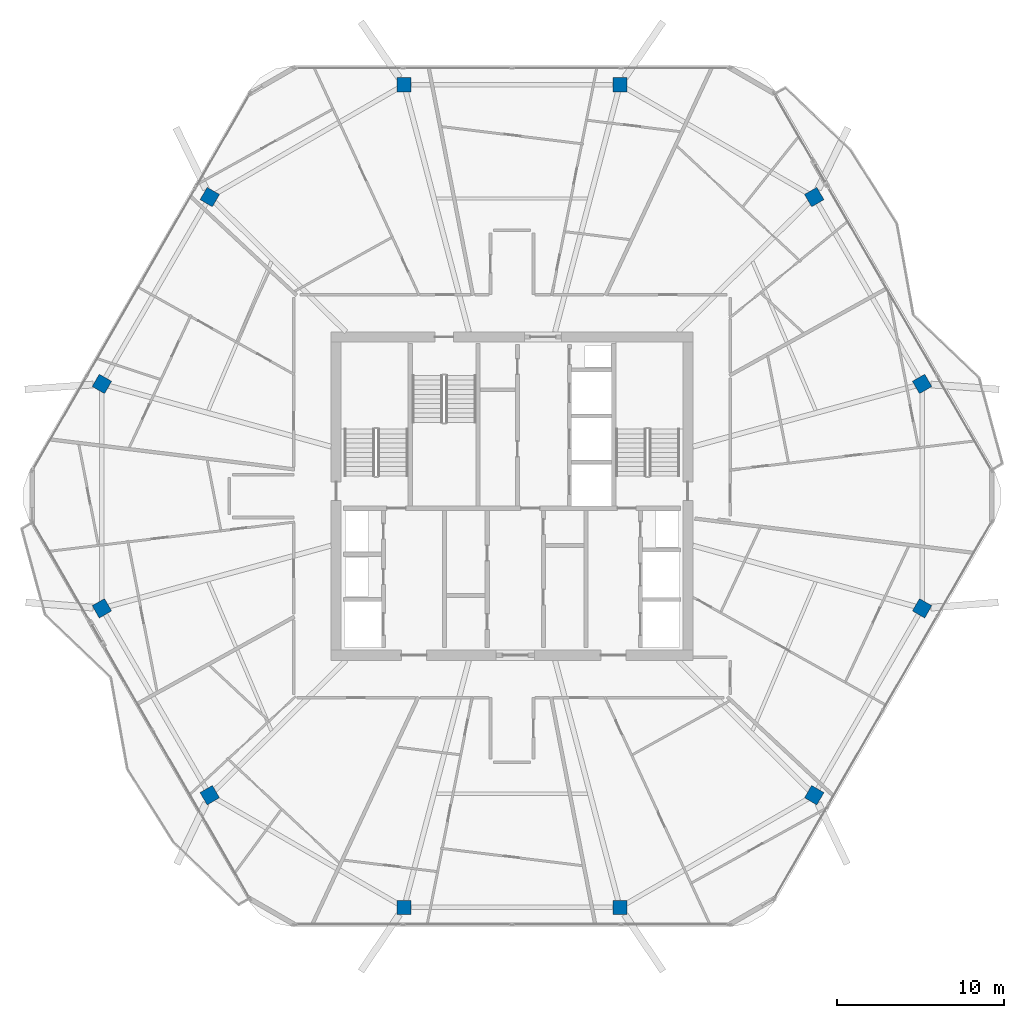
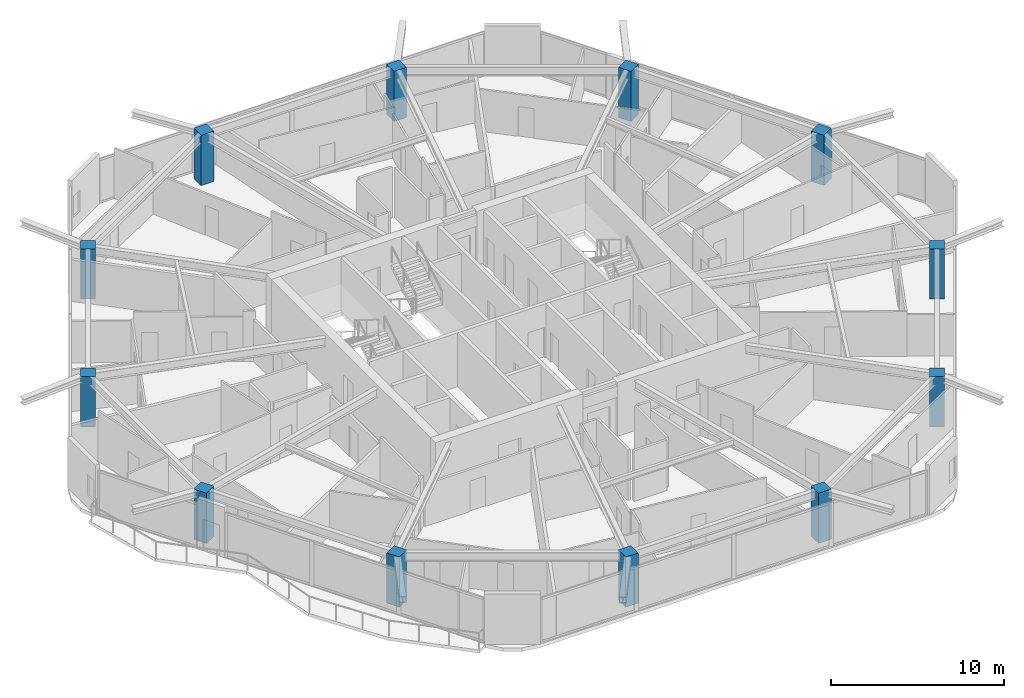
# One storey, part 1 of 26: 12 columns.
"""IFC4 building model written with IfcOpenShell, lengths in metres."""

from ifc_helpers import new_model, si_unit, direction, frame, origin, origin_2d, place, context, subcontext, project, spatial, rectangle, extrude, material, material_profile, profile_set, type_object, element, save


model = new_model("IFC4")

# Units and contexts
model_context = context("Model", 3, precision=1e-05, world=origin(), true_north=direction((0.0, 1.0)))
body_context = subcontext(model_context, "Body", "Model", "MODEL_VIEW")
ifc_project = project(units=[si_unit("LENGTHUNIT", "METRE"), si_unit("AREAUNIT", "SQUARE_METRE"), si_unit("VOLUMEUNIT", "CUBIC_METRE"), si_unit("PLANEANGLEUNIT", "RADIAN"), si_unit("MASSUNIT", "GRAM", prefix="KILO")], contexts=[model_context])

# Site, building, storey
site_placement = place(None, origin())
site = spatial("IfcSite", under=ifc_project, at=site_placement, CompositionType="ELEMENT")
building_placement = place(site_placement, origin())
building = spatial("IfcBuilding", under=site, at=building_placement, Name="Zuhravey Tower", CompositionType="ELEMENT")
storey_placement = place(building_placement, frame((0.0, 0.0, 273.0)))
storey = spatial("IfcBuildingStorey", under=building, at=storey_placement, Name="L69", CompositionType="ELEMENT", Elevation=273.0)

# Columns
ifc_material = material(Name="Concrete C50/60", Category="concrete")
ifc_material_profile = material_profile(ifc_material, rectangle(XDim=0.85009765625, YDim=0.85009765625, at=origin_2d()), Name="RC-850x850")
ifc_profile_set = profile_set([ifc_material_profile], Name="Concrete C50/60")
column_type = type_object("IfcColumnType", Name="Zone 3 Upper Column 850x850", PredefinedType="COLUMN", material=ifc_profile_set)
for number, where, z_axis, x_axis, name in (
    (1, (60.484619140625, 38.698974609375, 0.0), (0.0, 0.0, 1.0), (-0.5, 0.866025403784, 0.0), "L69 Perimeter Column PC01"),
    (2, (54.043701171875, 49.854736328125, 0.0), (0.0, 0.0, 1.0), (-0.5, 0.866025403784, 0.0), "L69 Perimeter Column PC02"),
    (3, (42.44091796875, 56.5537109375, 0.0), (0.0, 0.0, 1.0), (-1.0, 0.0, 0.0), "L69 Perimeter Column PC03"),
    (4, (29.55908203125, 56.5537109375, 0.0), (0.0, 0.0, 1.0), (-1.0, 0.0, 0.0), "L69 Perimeter Column PC04"),
    (5, (17.956298828125, 49.854736328125, 0.0), (0.0, 0.0, 1.0), (-0.5, -0.866025403784, 0.0), "L69 Perimeter Column PC05"),
    (6, (11.515380859375, 38.698974609375, 0.0), (0.0, 0.0, 1.0), (-0.5, -0.866025403784, 0.0), "L69 Perimeter Column PC06"),
    (7, (11.515380859375, 25.301025390625, 0.0), (0.0, 0.0, 1.0), (0.5, -0.866025403784, 0.0), "L69 Perimeter Column PC07"),
    (8, (17.956298828125, 14.145263671875, 0.0), (0.0, 0.0, 1.0), (0.5, -0.866025403784, 0.0), "L69 Perimeter Column PC08"),
    (9, (29.55908203125, 7.4462890625, 0.0), (0.0, 0.0, 1.0), (1.0, 0.0, 0.0), "L69 Perimeter Column PC09"),
    (10, (42.44091796875, 7.4462890625, 0.0), (0.0, 0.0, 1.0), (1.0, 0.0, 0.0), "L69 Perimeter Column PC10"),
    (11, (54.043701171875, 14.145263671875, 0.0), (0.0, 0.0, 1.0), (0.5, 0.866025403784, 0.0), "L69 Perimeter Column PC11"),
    (12, (60.484619140625, 25.301025390625, 0.0), (0.0, 0.0, 1.0), (0.5, 0.866025403784, 0.0), "L69 Perimeter Column PC12"),
):
    element("IfcColumn", number, at=place(storey_placement, frame(where, z_axis=z_axis, x_axis=x_axis)), inside=storey, type_object=column_type, Name=name, PredefinedType="COLUMN", context=body_context, shape_type="SweptSolid", body=[
        extrude(rectangle(XDim=0.85009765625, YDim=0.85009765625, at=origin_2d()), origin(), (0.0, 0.0, 1.0), 3.550048828125),
    ])

save(model, "model.ifc")
